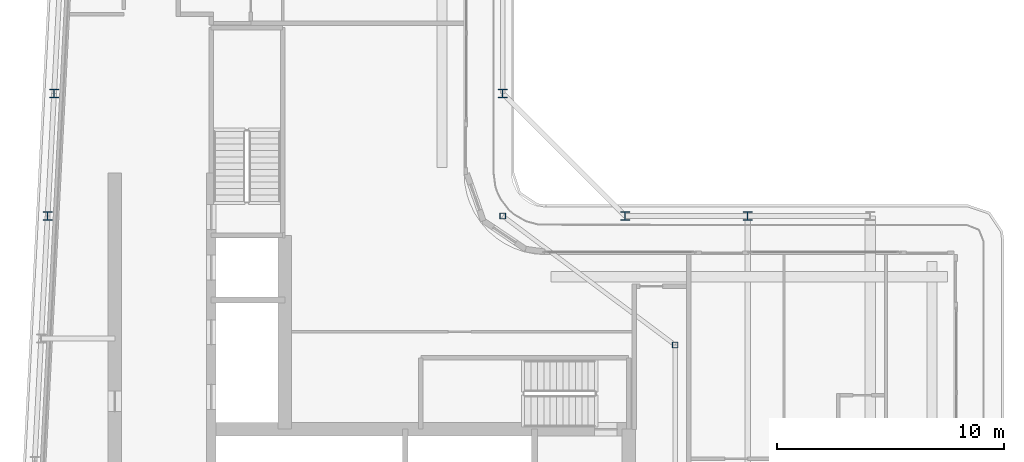
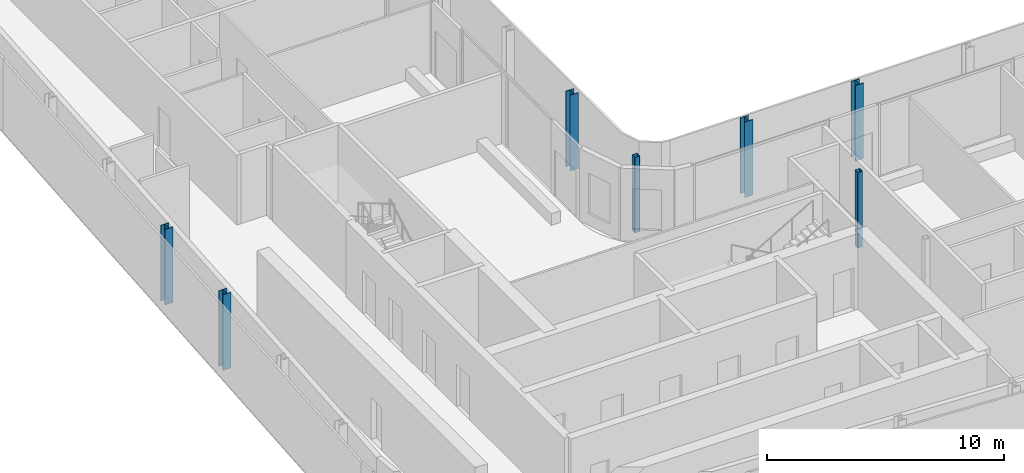
# One storey, part 2 of 21: 7 columns.
"""IFC4 building model written with IfcOpenShell, lengths in metres."""

from ifc_helpers import new_model, si_unit, direction, frame, origin, origin_2d, place, context, subcontext, project, spatial, hollow_rectangle, i_section, extrude, material, material_profile, profile_set, type_object, element, save


model = new_model("IFC4")

# Units and contexts
model_context = context("Model", 3, precision=1e-05, world=origin(), true_north=direction((0.0, 1.0)))
body_context = subcontext(model_context, "Body", "Model", "MODEL_VIEW")
ifc_project = project(units=[si_unit("LENGTHUNIT", "METRE"), si_unit("AREAUNIT", "SQUARE_METRE"), si_unit("VOLUMEUNIT", "CUBIC_METRE"), si_unit("PLANEANGLEUNIT", "RADIAN"), si_unit("MASSUNIT", "GRAM", prefix="KILO")], contexts=[model_context])

# Site, building, storey
site_placement = place(None, origin())
site = spatial("IfcSite", under=ifc_project, at=site_placement, CompositionType="ELEMENT")
building_placement = place(site_placement, origin())
building = spatial("IfcBuilding", under=site, at=building_placement, Name="Kheshtan School and Residences Tower", CompositionType="ELEMENT")
storey_placement = place(building_placement, frame((0.0, 0.0, 290.300048828125)))
storey = spatial("IfcBuildingStorey", under=building, at=storey_placement, Name="L68", CompositionType="ELEMENT", Elevation=290.300048828125)

# Columns
ifc_material_1 = material(Name="Steel ASTM A992 Grade 50", Category="steel")
ifc_material_profile_1 = material_profile(ifc_material_1, i_section(OverallWidth=0.39501953125, OverallDepth=0.3798828125, WebThickness=0.018798828125, FlangeThickness=0.0302734375, FilletRadius=0.011474609375, at=origin_2d()), Name="W360x237")
ifc_profile_set_1 = profile_set([ifc_material_profile_1], Name="Steel ASTM A992 Grade 50")
column_type_1 = type_object("IfcColumnType", Name="Column C5 W360x237 ASTM A992 Grade 50", PredefinedType="COLUMN", material=ifc_profile_set_1)
for number, where, z_axis, x_axis, name in (
    (1, (27.537109375, 45.60009765625, 0.0), (0.0, 0.0, 1.0), (1.0, 0.0, 0.0), "Column C059"),
    (2, (53.0, 45.60009765625, 0.0), (0.0, 0.0, 1.0), (1.0, 0.0, 0.0), "Column C061"),
    (3, (58.39990234375, 45.60009765625, 0.0), (0.0, 0.0, 1.0), (1.0, 0.0, 0.0), "Column C062"),
    (4, (27.822021484375, 51.0, 0.0), (0.0, 0.0, 1.0), (1.0, 0.0, 0.0), "Column C078"),
    (5, (47.60009765625, 51.0, 0.0), (0.0, 0.0, 1.0), (1.0, 0.0, 0.0), "Column C079"),
):
    element("IfcColumn", number, at=place(storey_placement, frame(where, z_axis=z_axis, x_axis=x_axis)), inside=storey, type_object=column_type_1, Name=name, PredefinedType="COLUMN", context=body_context, shape_type="SweptSolid", body=[
        extrude(i_section(OverallWidth=0.39501953125, OverallDepth=0.3798828125, WebThickness=0.018798828125, FlangeThickness=0.0302734375, FilletRadius=0.011474609375, at=origin_2d()), origin(), (0.0, 0.0, 1.0), 3.89990234375),
    ])
ifc_material_2 = material(Name="Steel ASTM A500 Grade C", Category="steel")
ifc_material_profile_2 = material_profile(ifc_material_2, hollow_rectangle(XDim=0.25390625, YDim=0.25390625, WallThickness=0.0126953125, InnerFilletRadius=0.0126953125, OuterFilletRadius=0.025390625, at=origin_2d()), Name="HSS 254x254x12.7")
ifc_profile_set_2 = profile_set([ifc_material_profile_2], Name="Steel ASTM A500 Grade C")
column_type_2 = type_object("IfcColumnType", Name="Column IC3 HSS 254x254x12.7 ASTM A500 Grade C", PredefinedType="COLUMN", material=ifc_profile_set_2)
for number, where, z_axis, x_axis, name in (
    (6, (55.199951171875, 39.916015625, 0.0), (0.0, 0.0, 1.0), (1.0, 0.0, 0.0), "Column C055"),
    (7, (47.60009765625, 45.60009765625, 0.0), (0.0, 0.0, 1.0), (1.0, 0.0, 0.0), "Column C060"),
):
    element("IfcColumn", number, at=place(storey_placement, frame(where, z_axis=z_axis, x_axis=x_axis)), inside=storey, type_object=column_type_2, Name=name, PredefinedType="COLUMN", context=body_context, shape_type="SweptSolid", body=[
        extrude(hollow_rectangle(XDim=0.25390625, YDim=0.25390625, WallThickness=0.0126953125, InnerFilletRadius=0.0126953125, OuterFilletRadius=0.025390625, at=origin_2d()), origin(), (0.0, 0.0, 1.0), 3.89990234375),
    ])

save(model, "model.ifc")
